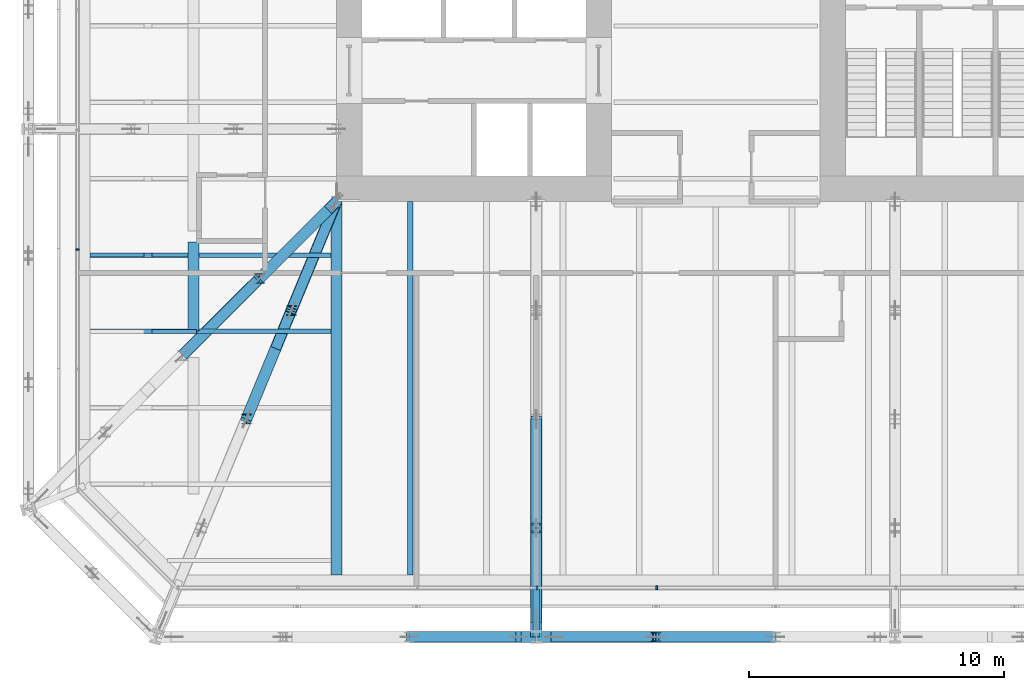
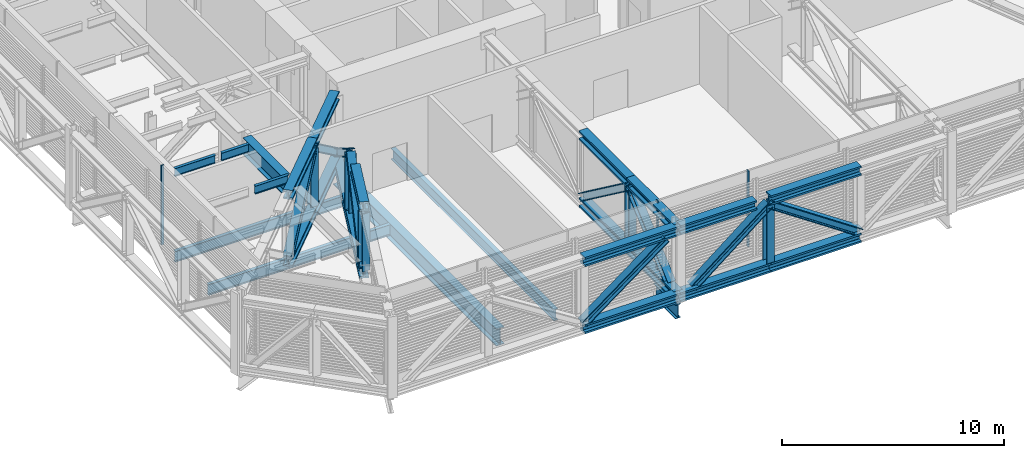
# One storey, part 3 of 33: 26 beams, 17 members, 2 elements without a shape of their own.
"""IFC4 building model written with IfcOpenShell, lengths in metres."""

import ifcopenshell
import ifcopenshell.guid

model = None  # the IFC model being written
_history = None  # IfcOwnerHistory: only IFC2X3 demands one
_inside = {}  # id of a spatial element -> (the spatial element, [elements in it])
_under = {}  # id of a project, library or spatial element -> (it, [spatial elements below it])
_declared = {}  # id of a project -> (the project, [libraries it declares])
_typed = {}  # id of a type object -> (the type object, [elements of that type])
_made_of = {}  # id of a material, layer set ... -> (it, [elements and type objects made of it])


def new_model(schema):
    """Start an empty IFC model of exactly this schema.

    Asked for "IFC4X3", IfcOpenShell would pick the latest addendum, in which some entities
    have other attributes; the version numbers below select the first issue.
    IFC2X3 requires an IfcOwnerHistory on every rooted entity: one is made here for all.
    """
    global model, _history
    if schema == "IFC4X3":
        model = ifcopenshell.file(schema_version=(4, 3, 0, 0))
    else:
        model = ifcopenshell.file(schema=schema)
    _inside.clear()
    _under.clear()
    _declared.clear()
    _typed.clear()
    _made_of.clear()
    _history = None
    if model.schema == "IFC2X3":
        org = make("IfcOrganization", Name="unknown")
        user = make(
            "IfcPersonAndOrganization",
            ThePerson=make("IfcPerson", FamilyName="unknown"),
            TheOrganization=org,
        )
        app = make(
            "IfcApplication",
            ApplicationDeveloper=org,
            Version="unknown",
            ApplicationFullName="unknown",
            ApplicationIdentifier="unknown",
        )
        _history = make(
            "IfcOwnerHistory",
            OwningUser=user,
            OwningApplication=app,
            ChangeAction="ADDED",
            CreationDate=0,
        )
    return model


def make(cls, **values):
    """One entity of the class cls with the attributes given. An attribute that is None is left unset."""
    return model.create_entity(
        cls, **{name: value for name, value in values.items() if value is not None}
    )


def rooted(cls, **values):
    """An entity with a GlobalId (a new one), such as an element, a storey or a relation."""
    return make(cls, GlobalId=ifcopenshell.guid.new(), OwnerHistory=_history, **values)


def si_unit(unit_type, name, prefix=None):
    """IfcSIUnit, for example si_unit("LENGTHUNIT", "METRE", prefix="MILLI")."""
    return make("IfcSIUnit", UnitType=unit_type, Prefix=prefix, Name=name)


def assignment(units):
    """IfcUnitAssignment: the units of a project."""
    return None if units is None else make("IfcUnitAssignment", Units=units)


def point(xyz):
    """IfcCartesianPoint."""
    return None if xyz is None else make("IfcCartesianPoint", Coordinates=xyz)


def direction(xyz):
    """IfcDirection."""
    return None if xyz is None else make("IfcDirection", DirectionRatios=xyz)


def frame(location, z_axis=None, x_axis=None):
    """IfcAxis2Placement3D, a coordinate frame: its origin and axes. An axis left out is left unset."""
    return make(
        "IfcAxis2Placement3D",
        Location=point(location),
        Axis=direction(z_axis),
        RefDirection=direction(x_axis),
    )


def frame_2d(location, x_axis=None):
    """IfcAxis2Placement2D, a coordinate frame in the plane: its origin and x axis."""
    return make(
        "IfcAxis2Placement2D", Location=point(location), RefDirection=direction(x_axis)
    )


def origin():
    """The frame at (0, 0, 0) with its axes left unset."""
    return frame((0.0, 0.0, 0.0))


def origin_2d():
    """The frame at (0, 0) in the plane with its x axis left unset."""
    return frame_2d((0.0, 0.0))


def place(relative_to, where):
    """IfcLocalPlacement: puts the frame where relative to a parent placement (None: the world)."""
    return make(
        "IfcLocalPlacement", PlacementRelTo=relative_to, RelativePlacement=where
    )


def context(
    kind, dimensions, precision=None, world=None, true_north=None, identifier=None
):
    """IfcGeometricRepresentationContext, for example the 3D "Model" context."""
    return make(
        "IfcGeometricRepresentationContext",
        ContextIdentifier=identifier,
        ContextType=kind,
        CoordinateSpaceDimension=dimensions,
        Precision=precision,
        WorldCoordinateSystem=world,
        TrueNorth=true_north,
    )


def subcontext(parent, identifier, kind, view, scale=None):
    """IfcGeometricRepresentationSubContext, for example "Body" below "Model"."""
    return make(
        "IfcGeometricRepresentationSubContext",
        ContextIdentifier=identifier,
        ContextType=kind,
        ParentContext=parent,
        TargetScale=scale,
        TargetView=view,
    )


def project(units=None, contexts=None):
    """IfcProject with its units and contexts."""
    return rooted(
        "IfcProject",
        Name="project",
        RepresentationContexts=contexts,
        UnitsInContext=assignment(units),
    )


def spatial(cls, under=None, at=None, **own):
    """A site, building, storey or space (cls), placed at a placement, below another one or the project."""
    s = rooted(cls, ObjectPlacement=at, **own)
    if under is not None:
        _under.setdefault(under.id(), (under, []))[1].append(s)
    return s


def profile(cls, at=None, kind="AREA", **sizes):
    """A parametric profile (cls). Its sizes go by their IFC names, for example OverallWidth=200.0."""
    return make(cls, ProfileType=kind, Position=at, **sizes)


def rectangle(**sizes):
    """IfcRectangleProfileDef."""
    return profile("IfcRectangleProfileDef", **sizes)


def i_section(**sizes):
    """IfcIShapeProfileDef."""
    return profile("IfcIShapeProfileDef", **sizes)


def extrude(swept, where, along, depth):
    """IfcExtrudedAreaSolid: the profile swept, set in the frame where, extruded along a direction by depth."""
    return make(
        "IfcExtrudedAreaSolid",
        SweptArea=swept,
        Position=where,
        ExtrudedDirection=direction(along),
        Depth=depth,
    )


def shape(context_of_items, identifier, shape_type, items):
    """IfcShapeRepresentation: the items that make up one representation, for example the "Body"."""
    return make(
        "IfcShapeRepresentation",
        ContextOfItems=context_of_items,
        RepresentationIdentifier=identifier,
        RepresentationType=shape_type,
        Items=items,
    )


def material(Name=None, Category=None):
    """IfcMaterial."""
    return make("IfcMaterial", Name=Name, Category=Category)


def layer(
    of_material, thickness, ventilated=None, Name=None, Category=None, Priority=None
):
    """IfcMaterialLayer: one layer of a wall or slab, of a material (None: an air gap)."""
    return make(
        "IfcMaterialLayer",
        Material=of_material,
        LayerThickness=thickness,
        IsVentilated=ventilated,
        Name=Name,
        Category=Category,
        Priority=Priority,
    )


def layer_set(layers, Name=None):
    """IfcMaterialLayerSet."""
    return make("IfcMaterialLayerSet", MaterialLayers=layers, LayerSetName=Name)


def material_profile(
    of_material, cross_section, Name=None, Category=None, Priority=None
):
    """IfcMaterialProfile: a cross section and its material."""
    return make(
        "IfcMaterialProfile",
        Name=Name,
        Material=of_material,
        Profile=cross_section,
        Priority=Priority,
        Category=Category,
    )


def profile_set(profiles, Name=None, composite=None):
    """IfcMaterialProfileSet."""
    return make(
        "IfcMaterialProfileSet",
        Name=Name,
        MaterialProfiles=profiles,
        CompositeProfile=composite,
    )


def made_of(thing, what):
    """Note that an element or type object is made of a material, layer set ...; save() writes the relation."""
    if what is not None:
        _made_of.setdefault(what.id(), (what, []))[1].append(thing)
    return thing


def type_object(cls, material=None, **own):
    """A type object (cls), such as IfcWallType, which elements share."""
    return made_of(rooted(cls, **own), material)


def element(
    cls,
    number,
    at=None,
    inside=None,
    cuts=None,
    type_object=None,
    material=None,
    context=None,
    identifier="Body",
    shape_type=None,
    held_by="IfcProductDefinitionShape",
    body=None,
    shapes=None,
    **own,
):
    """One element of the class cls, such as IfcWall. Its Tag is "e" and its number.

    at: its placement. inside: the storey or other place that contains it. cuts: it is an
    opening in that element (IfcRelVoidsElement). A single representation is given by context,
    identifier, shape_type and body (its items); several are given by shapes. held_by: the class
    of the entity that holds the representations. save() writes the other relations.
    """
    e = rooted(cls, Tag="e%d" % number, ObjectPlacement=at, **own)
    if body is not None:
        shapes = [shape(context, identifier, shape_type, body)]
    if shapes is not None:
        e.Representation = make(held_by, Representations=shapes)
    if inside is not None:
        _inside.setdefault(inside.id(), (inside, []))[1].append(e)
    if cuts is not None:
        rooted(
            "IfcRelVoidsElement", RelatingBuildingElement=cuts, RelatedOpeningElement=e
        )
    if type_object is not None:
        _typed.setdefault(type_object.id(), (type_object, []))[1].append(e)
    return made_of(e, material)


def aggregate(whole, parts):
    """IfcRelAggregates: a whole, such as a stair, and the parts it consists of."""
    return rooted("IfcRelAggregates", RelatingObject=whole, RelatedObjects=parts)


def save(model, path):
    """Write the relations noted so far, then the file.

    IfcRelAggregates (storeys below a building ...), IfcRelContainedInSpatialStructure (elements
    in a storey), IfcRelDefinesByType, IfcRelAssociatesMaterial and IfcRelDeclares: one each for
    every whole, place, type object, material and project.
    """
    for whole, parts in _under.values():
        aggregate(whole, parts)
    for where, things in _inside.values():
        rooted(
            "IfcRelContainedInSpatialStructure",
            RelatedElements=things,
            RelatingStructure=where,
        )
    for kind, things in _typed.values():
        rooted("IfcRelDefinesByType", RelatedObjects=things, RelatingType=kind)
    for what, things in _made_of.values():
        rooted("IfcRelAssociatesMaterial", RelatedObjects=things, RelatingMaterial=what)
    for by, libraries in _declared.values():
        rooted("IfcRelDeclares", RelatingContext=by, RelatedDefinitions=libraries)
    model.write(path)


model = new_model("IFC4")

# Units and contexts
model_context = context("Model", 3, precision=1e-05, world=origin(), true_north=direction((0.0, 1.0)))
body_context = subcontext(model_context, "Body", "Model", "MODEL_VIEW")
ifc_project = project(units=[si_unit("LENGTHUNIT", "METRE"), si_unit("AREAUNIT", "SQUARE_METRE"), si_unit("VOLUMEUNIT", "CUBIC_METRE"), si_unit("PLANEANGLEUNIT", "RADIAN"), si_unit("MASSUNIT", "GRAM", prefix="KILO")], contexts=[model_context])

# Site, building, storey
site_placement = place(None, origin())
site = spatial("IfcSite", under=ifc_project, at=site_placement, CompositionType="ELEMENT")
building_placement = place(site_placement, origin())
building = spatial("IfcBuilding", under=site, at=building_placement, Name="Millrace Tower", CompositionType="ELEMENT")
storey_placement = place(building_placement, frame((0.0, 0.0, 64.10009765625)))
storey = spatial("IfcBuildingStorey", under=building, at=storey_placement, Name="L14", CompositionType="ELEMENT", Elevation=64.10009765625)

# Beams
ifc_material_1 = material(Name="Steel ASTM A992 Grade 50", Category="steel")
ifc_material_profile_1 = material_profile(ifc_material_1, i_section(OverallWidth=0.436767578125, OverallDepth=0.51318359375, WebThickness=0.060546875, FlangeThickness=0.096923828125, FilletRadius=0.01513671875, at=origin_2d()))
ifc_profile_set_1 = profile_set([ifc_material_profile_1], Name="Steel ASTM A992 Grade 50")
beam_type_1 = type_object("IfcBeamType", Name="Belt truss chord W14x550", PredefinedType="BEAM", material=ifc_profile_set_1)
beam_1_placement = place(storey_placement, frame((-12.026123046875, -27.0, 0.25634765625), z_axis=(1.0, 0.0, 0.0), x_axis=(0.0, 1.0, 0.0)))
element("IfcBeam", 1, at=beam_1_placement, inside=storey, type_object=beam_type_1, Name="BLT-L14-R02-B03", PredefinedType="BEAM", context=body_context, shape_type="SweptSolid", body=[
    extrude(i_section(OverallWidth=0.436767578125, OverallDepth=0.51318359375, WebThickness=0.060546875, FlangeThickness=0.096923828125, FilletRadius=0.01513671875, at=origin_2d()), origin(), (0.0, 0.0, 1.0), 4.97607421875),
])
beam_2_placement = place(storey_placement, frame((-7.050048828125, -27.0, 0.25634765625), z_axis=(1.0, 0.0, 0.0), x_axis=(0.0, 1.0, 0.0)))
element("IfcBeam", 2, at=beam_2_placement, inside=storey, type_object=beam_type_1, Name="BLT-L14-R03-B01", PredefinedType="BEAM", context=body_context, shape_type="SweptSolid", body=[
    extrude(i_section(OverallWidth=0.436767578125, OverallDepth=0.51318359375, WebThickness=0.060546875, FlangeThickness=0.096923828125, FilletRadius=0.01513671875, at=origin_2d()), origin(), (0.0, 0.0, 1.0), 4.699951171875),
])
for number, where, z_axis, x_axis, name in (
    (3, (-2.35009765625, -27.0, 0.25634765625), (1.0, 0.0, 0.0), (0.0, 1.0, 0.0), "BLT-L14-R03-B02"),
    (4, (-2.35009765625, -27.0, 3.943359375), (1.0, 0.0, 0.0), (0.0, 1.0, 0.0), "BLT-L14-R03-T02"),
):
    element("IfcBeam", number, at=place(storey_placement, frame(where, z_axis=z_axis, x_axis=x_axis)), inside=storey, type_object=beam_type_1, Name=name, PredefinedType="BEAM", context=body_context, shape_type="SweptSolid", body=[
        extrude(i_section(OverallWidth=0.436767578125, OverallDepth=0.51318359375, WebThickness=0.060546875, FlangeThickness=0.096923828125, FilletRadius=0.01513671875, at=origin_2d()), origin(), (0.0, 0.0, 1.0), 4.7001953125),
    ])
beam_3_placement = place(storey_placement, frame((-12.026123046875, -27.0, 3.943359375), z_axis=(1.0, 0.0, 0.0), x_axis=(0.0, 1.0, 0.0)))
element("IfcBeam", 5, at=beam_3_placement, inside=storey, type_object=beam_type_1, Name="BLT-L14-R02-T03", PredefinedType="BEAM", context=body_context, shape_type="SweptSolid", body=[
    extrude(i_section(OverallWidth=0.436767578125, OverallDepth=0.51318359375, WebThickness=0.060546875, FlangeThickness=0.096923828125, FilletRadius=0.01513671875, at=origin_2d()), origin(), (0.0, 0.0, 1.0), 4.958740234375),
])
beam_4_placement = place(storey_placement, frame((-7.03271484375, -27.0, 3.943359375), z_axis=(1.0, 0.0, 0.0), x_axis=(0.0, 1.0, 0.0)))
element("IfcBeam", 6, at=beam_4_placement, inside=storey, type_object=beam_type_1, Name="BLT-L14-R03-T01", PredefinedType="BEAM", context=body_context, shape_type="SweptSolid", body=[
    extrude(i_section(OverallWidth=0.436767578125, OverallDepth=0.51318359375, WebThickness=0.060546875, FlangeThickness=0.096923828125, FilletRadius=0.01513671875, at=origin_2d()), origin(), (0.0, 0.0, 1.0), 3.947998046875),
])

# Members
ifc_material_2 = material(Name="Steel ASTM A992 Grade 50", Category="steel")
ifc_material_profile_2 = material_profile(ifc_material_2, i_section(OverallWidth=0.40380859375, OverallDepth=0.406494140625, WebThickness=0.027099609375, FlangeThickness=0.043701171875, FilletRadius=0.01513671875, at=origin_2d()))
ifc_profile_set_2 = profile_set([ifc_material_profile_2], Name="Steel ASTM A992 Grade 50")
member_type_1 = type_object("IfcMemberType", Name="Belt truss diagonal W14x233", PredefinedType="BRACE", material=ifc_profile_set_2)
member_1_placement = place(storey_placement, frame((-12.026123046875, -27.0, 0.512939453125), z_axis=(0.802988323282, 0.0, 0.59599475893), x_axis=(0.0, 1.0, 0.0)))
element("IfcMember", 7, at=member_1_placement, inside=storey, type_object=member_type_1, Name="BLT-L14-R02-D03", PredefinedType="BRACE", context=body_context, shape_type="SweptSolid", body=[
    extrude(i_section(OverallWidth=0.40380859375, OverallDepth=0.406494140625, WebThickness=0.027099609375, FlangeThickness=0.043701171875, FilletRadius=0.01513671875, at=origin_2d()), origin(), (0.0, 0.0, 1.0), 5.3251953125),
])
member_2_placement = place(storey_placement, frame((-6.35009765625, -27.0, 0.512939453125), z_axis=(0.783362807967, 0.0, 0.621564728001), x_axis=(0.0, 1.0, 0.0)))
element("IfcMember", 8, at=member_2_placement, inside=storey, type_object=member_type_1, Name="BLT-L14-R03-D01", PredefinedType="BRACE", context=body_context, shape_type="SweptSolid", body=[
    extrude(i_section(OverallWidth=0.40380859375, OverallDepth=0.406494140625, WebThickness=0.027099609375, FlangeThickness=0.043701171875, FilletRadius=0.01513671875, at=origin_2d()), origin(), (0.0, 0.0, 1.0), 5.106201171875),
])
member_3_placement = place(storey_placement, frame((2.35009765625, -27.0, 0.512939453125), z_axis=(-0.82875084798, 0.0, 0.559617755233), x_axis=(0.0, -1.0, 0.0)))
element("IfcMember", 9, at=member_3_placement, inside=storey, type_object=member_type_1, Name="BLT-L14-R03-D02", PredefinedType="BRACE", context=body_context, shape_type="SweptSolid", body=[
    extrude(i_section(OverallWidth=0.40380859375, OverallDepth=0.406494140625, WebThickness=0.027099609375, FlangeThickness=0.043701171875, FilletRadius=0.01513671875, at=origin_2d()), origin(), (0.0, 0.0, 1.0), 5.67138671875),
])
ifc_material_3 = material(Name="Steel ASTM A992 Grade 50", Category="steel")
ifc_material_profile_3 = material_profile(ifc_material_3, i_section(OverallWidth=0.398681640625, OverallDepth=0.393798828125, WebThickness=0.022705078125, FlangeThickness=0.03662109375, FilletRadius=0.01513671875, at=origin_2d()))
ifc_profile_set_3 = profile_set([ifc_material_profile_3], Name="Steel ASTM A992 Grade 50")
member_type_2 = type_object("IfcMemberType", Name="Belt truss post W14x193", PredefinedType="POST", material=ifc_profile_set_3)
member_4_placement = place(storey_placement, frame((-2.35009765625, -27.0, 0.512939453125), z_axis=(0.0, 0.0, 1.0), x_axis=(1.0, 0.0, 0.0)))
element("IfcMember", 10, at=member_4_placement, inside=storey, type_object=member_type_2, Name="BLT-L14-R03-V01", PredefinedType="POST", context=body_context, shape_type="SweptSolid", body=[
    extrude(i_section(OverallWidth=0.398681640625, OverallDepth=0.393798828125, WebThickness=0.022705078125, FlangeThickness=0.03662109375, FilletRadius=0.01513671875, at=origin_2d()), origin(), (0.0, 0.0, 1.0), 3.173828125),
])

# Curtain wall, members
ifc_material_4 = material(Name="Aluminium and glass", Category="aluminium")
ifc_layer = layer(ifc_material_4, 0.14990234375)
ifc_layer_set = layer_set([ifc_layer], Name="Aluminium and glass")
curtain_wall_type = type_object("IfcCurtainWallType", Name="CW-5 truss and plant storey louvred infill", PredefinedType="NOTDEFINED", material=ifc_layer_set)
placement = place(storey_placement, origin())
curtain_wall_1 = element("IfcCurtainWall", 11, at=placement, inside=storey, type_object=curtain_wall_type, Name="Curtain wall A-F02 L14", PredefinedType="NOTDEFINED")
ifc_material_5 = material(Name="Aluminium", Category="aluminium")
ifc_material_profile_4 = material_profile(ifc_material_5, rectangle(XDim=0.06494140625, YDim=0.14990234375, at=origin_2d()))
ifc_profile_set_4 = profile_set([ifc_material_profile_4], Name="Aluminium")
member_type_3 = type_object("IfcMemberType", Name="CW-5 truss and plant storey louvred infill mullion", PredefinedType="MULLION", material=ifc_profile_set_4)
member_5_placement = place(storey_placement, frame((-7.017578125, -25.074951171875, 0.139892578125), z_axis=(0.0, 0.0, 1.0), x_axis=(1.0, 0.0, 0.0)))
member_5 = element("IfcMember", 12, at=member_5_placement, type_object=member_type_3, Name="CW5 mullion A-F02.4", PredefinedType="MULLION", context=body_context, shape_type="SweptSolid", body=[
    extrude(rectangle(XDim=0.06494140625, YDim=0.14990234375, at=origin_2d()), origin(), (0.0, 0.0, 1.0), 4.159912109375),
])
member_6_placement = place(storey_placement, frame((-2.3173828125, -25.074951171875, 0.139892578125), z_axis=(0.0, 0.0, 1.0), x_axis=(1.0, 0.0, 0.0)))
member_6 = element("IfcMember", 13, at=member_6_placement, type_object=member_type_3, Name="CW5 mullion A-F02.5", PredefinedType="MULLION", context=body_context, shape_type="SweptSolid", body=[
    extrude(rectangle(XDim=0.06494140625, YDim=0.14990234375, at=origin_2d()), origin(), (0.0, 0.0, 1.0), 4.159912109375),
])
aggregate(curtain_wall_1, [member_5, member_6])

# Curtain wall, member
curtain_wall_2 = element("IfcCurtainWall", 14, at=placement, inside=storey, type_object=curtain_wall_type, Name="Curtain wall A-F08 L14", PredefinedType="NOTDEFINED")
member_7_placement = place(storey_placement, frame((-25.074951171875, -11.782470703125, 0.139892578125), z_axis=(0.0, 0.0, 1.0), x_axis=(0.0, -1.0, 0.0)))
member_7 = element("IfcMember", 15, at=member_7_placement, type_object=member_type_3, Name="CW5 mullion A-F08.8", PredefinedType="MULLION", context=body_context, shape_type="SweptSolid", body=[
    extrude(rectangle(XDim=0.06494140625, YDim=0.14990234375, at=origin_2d()), origin(), (0.0, 0.0, 1.0), 4.360107421875),
])
aggregate(curtain_wall_2, [member_7])

# Beams
ifc_material_6 = material(Name="Steel ASTM A992 Grade 50", Category="steel")
ifc_material_profile_5 = material_profile(ifc_material_6, i_section(OverallWidth=0.15234375, OverallDepth=0.449462890625, WebThickness=0.007568359375, FlangeThickness=0.0107421875, FilletRadius=0.01025390625, at=origin_2d()))
ifc_profile_set_5 = profile_set([ifc_material_profile_5], Name="Steel ASTM A992 Grade 50")
beam_type_2 = type_object("IfcBeamType", Name="Floor beam W18x35", PredefinedType="JOIST", material=ifc_profile_set_5)
beam_5_placement = place(storey_placement, frame((-22.138427734375, -15.0, 4.0751953125), z_axis=(1.0, 0.0, 0.0), x_axis=(0.0, 1.0, 0.0)))
element("IfcBeam", 16, at=beam_5_placement, inside=storey, type_object=beam_type_2, Name="BM-A-L14-R1-S004-b", PredefinedType="JOIST", context=body_context, shape_type="SweptSolid", body=[
    extrude(i_section(OverallWidth=0.15234375, OverallDepth=0.449462890625, WebThickness=0.007568359375, FlangeThickness=0.0107421875, FilletRadius=0.01025390625, at=origin_2d()), origin(), (0.0, 0.0, 1.0), 1.74072265625),
])
beam_6_placement = place(storey_placement, frame((-24.578369140625, -12.0, 4.0751953125), z_axis=(1.0, 0.0, 0.0), x_axis=(0.0, 1.0, 0.0)))
element("IfcBeam", 17, at=beam_6_placement, inside=storey, type_object=beam_type_2, Name="BM-A-L14-R1-S005-a", PredefinedType="JOIST", context=body_context, shape_type="SweptSolid", body=[
    extrude(i_section(OverallWidth=0.15234375, OverallDepth=0.449462890625, WebThickness=0.007568359375, FlangeThickness=0.0107421875, FilletRadius=0.01025390625, at=origin_2d()), origin(), (0.0, 0.0, 1.0), 2.116943359375),
])
beam_7_placement = place(storey_placement, frame((-22.138427734375, -12.0, 4.0751953125), z_axis=(1.0, 0.0, 0.0), x_axis=(0.0, 1.0, 0.0)))
element("IfcBeam", 18, at=beam_7_placement, inside=storey, type_object=beam_type_2, Name="BM-A-L14-R1-S005-b", PredefinedType="JOIST", context=body_context, shape_type="SweptSolid", body=[
    extrude(i_section(OverallWidth=0.15234375, OverallDepth=0.449462890625, WebThickness=0.007568359375, FlangeThickness=0.0107421875, FilletRadius=0.01025390625, at=origin_2d()), origin(), (0.0, 0.0, 1.0), 1.416748046875),
])
ifc_material_7 = material(Name="Steel ASTM A992 Grade 50", Category="steel")
ifc_material_profile_6 = material_profile(ifc_material_7, i_section(OverallWidth=0.177978515625, OverallDepth=0.599365234375, WebThickness=0.010009765625, FlangeThickness=0.012939453125, FilletRadius=0.012939453125, at=origin_2d()))
ifc_profile_set_6 = profile_set([ifc_material_profile_6], Name="Steel ASTM A992 Grade 50")
beam_type_3 = type_object("IfcBeamType", Name="Floor beam W24x55", PredefinedType="JOIST", material=ifc_profile_set_6)
for number, where, z_axis, x_axis, name in (
    (19, (-24.578369140625, -15.0, -0.5498046875), (1.0, 0.0, 0.0), (0.0, 1.0, 0.0), "BM-A-L14-S1-S007"),
    (20, (-24.578369140625, -12.0, -0.5498046875), (1.0, 0.0, 0.0), (0.0, 1.0, 0.0), "BM-A-L14-S1-S009"),
):
    element("IfcBeam", number, at=place(storey_placement, frame(where, z_axis=z_axis, x_axis=x_axis)), inside=storey, type_object=beam_type_3, Name=name, PredefinedType="JOIST", context=body_context, shape_type="SweptSolid", body=[
        extrude(i_section(OverallWidth=0.177978515625, OverallDepth=0.599365234375, WebThickness=0.010009765625, FlangeThickness=0.012939453125, FilletRadius=0.012939453125, at=origin_2d()), origin(), (0.0, 0.0, 1.0), 9.46630859375),
    ])
ifc_material_8 = material(Name="Steel ASTM A992 Grade 50", Category="steel")
ifc_material_profile_7 = material_profile(ifc_material_8, i_section(OverallWidth=0.228271484375, OverallDepth=0.607177734375, WebThickness=0.01123046875, FlangeThickness=0.017333984375, FilletRadius=0.0126953125, at=origin_2d()))
ifc_profile_set_7 = profile_set([ifc_material_profile_7], Name="Steel ASTM A992 Grade 50")
beam_type_4 = type_object("IfcBeamType", Name="Floor beam W24x76", PredefinedType="JOIST", material=ifc_profile_set_7)
beam_8_placement = place(storey_placement, frame((-12.0, -24.578369140625, -0.5537109375), z_axis=(0.0, 1.0, 0.0), x_axis=(-1.0, 0.0, 0.0)))
element("IfcBeam", 21, at=beam_8_placement, inside=storey, type_object=beam_type_4, Name="BM-A-L14-S1-S043", PredefinedType="JOIST", context=body_context, shape_type="SweptSolid", body=[
    extrude(i_section(OverallWidth=0.228271484375, OverallDepth=0.607177734375, WebThickness=0.01123046875, FlangeThickness=0.017333984375, FilletRadius=0.0126953125, at=origin_2d()), origin(), (0.0, 0.0, 1.0), 14.678466796875),
])
ifc_material_9 = material(Name="Steel ASTM A992 Grade 50", Category="steel")
ifc_material_profile_8 = material_profile(ifc_material_9, i_section(OverallWidth=0.424072265625, OverallDepth=0.947509765625, WebThickness=0.02392578125, FlangeThickness=0.042724609375, FilletRadius=0.024169921875, at=origin_2d()))
ifc_profile_set_8 = profile_set([ifc_material_profile_8], Name="Steel ASTM A992 Grade 50")
beam_type_5 = type_object("IfcBeamType", Name="Girder medium span W36x302", PredefinedType="BEAM", material=ifc_profile_set_8)
beam_9_placement = place(storey_placement, frame((-14.89990234375, -24.578369140625, -0.723876953125), z_axis=(0.0, 1.0, 0.0), x_axis=(-1.0, 0.0, 0.0)))
element("IfcBeam", 22, at=beam_9_placement, inside=storey, type_object=beam_type_5, Name="BM-A-L14-S1-G061", PredefinedType="BEAM", context=body_context, shape_type="SweptSolid", body=[
    extrude(i_section(OverallWidth=0.424072265625, OverallDepth=0.947509765625, WebThickness=0.02392578125, FlangeThickness=0.042724609375, FilletRadius=0.024169921875, at=origin_2d()), origin(), (0.0, 0.0, 1.0), 14.678466796875),
])
ifc_material_10 = material(Name="Steel ASTM A992 Grade 50", Category="steel")
ifc_material_profile_9 = material_profile(ifc_material_10, i_section(OverallWidth=0.2666015625, OverallDepth=0.7568359375, WebThickness=0.013916015625, FlangeThickness=0.019287109375, FilletRadius=0.0166015625, at=origin_2d()))
ifc_profile_set_9 = profile_set([ifc_material_profile_9], Name="Steel ASTM A992 Grade 50")
beam_type_6 = type_object("IfcBeamType", Name="Link beam W30x108", PredefinedType="BEAM", material=ifc_profile_set_9)
beam_10_placement = place(storey_placement, frame((-7.050048828125, -25.0, -0.628662109375), z_axis=(0.0, -1.0, 0.0), x_axis=(1.0, 0.0, 0.0)))
element("IfcBeam", 23, at=beam_10_placement, inside=storey, type_object=beam_type_6, Name="LNK-A-L14-S1-15", PredefinedType="BEAM", context=body_context, shape_type="SweptSolid", body=[
    extrude(i_section(OverallWidth=0.2666015625, OverallDepth=0.7568359375, WebThickness=0.013916015625, FlangeThickness=0.019287109375, FilletRadius=0.0166015625, at=origin_2d()), origin(), (0.0, 0.0, 1.0), 2.0),
])
ifc_material_11 = material(Name="Steel ASTM A992 Grade 50", Category="steel")
ifc_material_profile_10 = material_profile(ifc_material_11, i_section(OverallWidth=0.436767578125, OverallDepth=0.51318359375, WebThickness=0.060546875, FlangeThickness=0.096923828125, FilletRadius=0.01513671875, at=origin_2d()))
ifc_profile_set_10 = profile_set([ifc_material_profile_10], Name="Steel ASTM A992 Grade 50")
beam_type_7 = type_object("IfcBeamType", Name="Outrigger truss chord W14x550", PredefinedType="BEAM", material=ifc_profile_set_10)
beam_11_placement = place(storey_placement, frame((-14.89990234375, -9.89990234375, 0.25634765625), z_axis=(-0.707734787322, -0.706478216801, 0.0), x_axis=(0.706478216801, -0.707734787322, 0.0)))
element("IfcBeam", 24, at=beam_11_placement, inside=storey, type_object=beam_type_7, Name="BLT-L14-O01-B01", PredefinedType="BEAM", context=body_context, shape_type="SweptSolid", body=[
    extrude(i_section(OverallWidth=0.436767578125, OverallDepth=0.51318359375, WebThickness=0.060546875, FlangeThickness=0.096923828125, FilletRadius=0.01513671875, at=origin_2d()), origin(), (0.0, 0.0, 1.0), 4.2744140625),
])
for number, where, z_axis, x_axis, name in (
    (25, (-17.925048828125, -12.919677734375, 0.25634765625), (-0.707734838031, -0.706478166002, 0.0), (0.706478166002, -0.707734838031, 0.0), "BLT-L14-O01-B02"),
    (26, (-17.925048828125, -12.919677734375, 3.943359375), (-0.707734838031, -0.706478166002, 0.0), (0.706478166002, -0.707734838031, 0.0), "BLT-L14-O01-T02"),
):
    element("IfcBeam", number, at=place(storey_placement, frame(where, z_axis=z_axis, x_axis=x_axis)), inside=storey, type_object=beam_type_7, Name=name, PredefinedType="BEAM", context=body_context, shape_type="SweptSolid", body=[
        extrude(i_section(OverallWidth=0.436767578125, OverallDepth=0.51318359375, WebThickness=0.060546875, FlangeThickness=0.096923828125, FilletRadius=0.01513671875, at=origin_2d()), origin(), (0.0, 0.0, 1.0), 4.274169921875),
    ])
beam_12_placement = place(storey_placement, frame((-14.89990234375, -9.89990234375, 0.25634765625), z_axis=(-0.382490047574, -0.923959611404, 0.0), x_axis=(0.923959611404, -0.382490047574, 0.0)))
element("IfcBeam", 27, at=beam_12_placement, inside=storey, type_object=beam_type_7, Name="BLT-L14-O02-B01", PredefinedType="BEAM", context=body_context, shape_type="SweptSolid", body=[
    extrude(i_section(OverallWidth=0.436767578125, OverallDepth=0.51318359375, WebThickness=0.060546875, FlangeThickness=0.096923828125, FilletRadius=0.01513671875, at=origin_2d()), origin(), (0.0, 0.0, 1.0), 4.626953125),
])
beam_13_placement = place(storey_placement, frame((-16.669677734375, -14.175048828125, 0.25634765625), z_axis=(-0.382463647717, -0.923970539669, 0.0), x_axis=(0.923970539669, -0.382463647717, 0.0)))
element("IfcBeam", 28, at=beam_13_placement, inside=storey, type_object=beam_type_7, Name="BLT-L14-O02-B02", PredefinedType="BEAM", context=body_context, shape_type="SweptSolid", body=[
    extrude(i_section(OverallWidth=0.436767578125, OverallDepth=0.51318359375, WebThickness=0.060546875, FlangeThickness=0.096923828125, FilletRadius=0.01513671875, at=origin_2d()), origin(), (0.0, 0.0, 1.0), 4.626708984375),
])
for number, where, z_axis, x_axis, name in (
    (29, (-7.050048828125, -18.449951171875, 0.25634765625), (0.0, -1.0, 0.0), (1.0, 0.0, 0.0), "BLT-L14-O03-B03"),
    (30, (-7.050048828125, -18.449951171875, 3.943359375), (0.0, -1.0, 0.0), (1.0, 0.0, 0.0), "BLT-L14-O03-T03"),
):
    element("IfcBeam", number, at=place(storey_placement, frame(where, z_axis=z_axis, x_axis=x_axis)), inside=storey, type_object=beam_type_7, Name=name, PredefinedType="BEAM", context=body_context, shape_type="SweptSolid", body=[
        extrude(i_section(OverallWidth=0.436767578125, OverallDepth=0.51318359375, WebThickness=0.060546875, FlangeThickness=0.096923828125, FilletRadius=0.01513671875, at=origin_2d()), origin(), (0.0, 0.0, 1.0), 4.275146484375),
    ])
for number, where, z_axis, x_axis, name in (
    (31, (-7.050048828125, -22.72509765625, 0.25634765625), (0.0, -1.0, 0.0), (1.0, 0.0, 0.0), "BLT-L14-O03-B04"),
    (32, (-7.050048828125, -22.72509765625, 3.943359375), (0.0, -1.0, 0.0), (1.0, 0.0, 0.0), "BLT-L14-O03-T04"),
):
    element("IfcBeam", number, at=place(storey_placement, frame(where, z_axis=z_axis, x_axis=x_axis)), inside=storey, type_object=beam_type_7, Name=name, PredefinedType="BEAM", context=body_context, shape_type="SweptSolid", body=[
        extrude(i_section(OverallWidth=0.436767578125, OverallDepth=0.51318359375, WebThickness=0.060546875, FlangeThickness=0.096923828125, FilletRadius=0.01513671875, at=origin_2d()), origin(), (0.0, 0.0, 1.0), 4.27490234375),
    ])
beam_14_placement = place(storey_placement, frame((-15.224609375, -10.22412109375, 3.943359375), z_axis=(-0.707746349156, -0.706466634213, 0.0), x_axis=(0.706466634213, -0.707746349156, 0.0)))
element("IfcBeam", 33, at=beam_14_placement, inside=storey, type_object=beam_type_7, Name="BLT-L14-O01-T01", PredefinedType="BEAM", context=body_context, shape_type="SweptSolid", body=[
    extrude(i_section(OverallWidth=0.436767578125, OverallDepth=0.51318359375, WebThickness=0.060546875, FlangeThickness=0.096923828125, FilletRadius=0.01513671875, at=origin_2d()), origin(), (0.0, 0.0, 1.0), 3.8154296875),
])
beam_15_placement = place(storey_placement, frame((-17.289306640625, -15.671875, 3.943359375), z_axis=(-0.382452198237, -0.923975278925, 0.0), x_axis=(0.923975278925, -0.382452198237, 0.0)))
element("IfcBeam", 34, at=beam_15_placement, inside=storey, type_object=beam_type_7, Name="BLT-L14-O02-T02", PredefinedType="BEAM", context=body_context, shape_type="SweptSolid", body=[
    extrude(i_section(OverallWidth=0.436767578125, OverallDepth=0.51318359375, WebThickness=0.060546875, FlangeThickness=0.096923828125, FilletRadius=0.01513671875, at=origin_2d()), origin(), (0.0, 0.0, 1.0), 3.006591796875),
])

# Members
ifc_material_12 = material(Name="Steel ASTM A992 Grade 50", Category="steel")
ifc_material_profile_11 = material_profile(ifc_material_12, i_section(OverallWidth=0.40380859375, OverallDepth=0.406494140625, WebThickness=0.027099609375, FlangeThickness=0.043701171875, FilletRadius=0.01513671875, at=origin_2d()))
ifc_profile_set_11 = profile_set([ifc_material_profile_11], Name="Steel ASTM A992 Grade 50")
member_type_4 = type_object("IfcMemberType", Name="Outrigger truss diagonal W14x233", PredefinedType="BRACE", material=ifc_profile_set_11)
member_8_placement = place(storey_placement, frame((-14.89990234375, -9.89990234375, 0.512939453125), z_axis=(-0.568221724835, -0.567212857274, 0.596149013224), x_axis=(0.706478216801, -0.707734787322, 0.0)))
element("IfcMember", 35, at=member_8_placement, inside=storey, type_object=member_type_4, Name="BLT-L14-O01-D01", PredefinedType="BRACE", context=body_context, shape_type="SweptSolid", body=[
    extrude(i_section(OverallWidth=0.40380859375, OverallDepth=0.406494140625, WebThickness=0.027099609375, FlangeThickness=0.043701171875, FilletRadius=0.01513671875, at=origin_2d()), origin(), (0.0, 0.0, 1.0), 5.323974609375),
])
member_9_placement = place(storey_placement, frame((-20.949951171875, -15.939208984375, 0.512939453125), z_axis=(0.568205452299, 0.567196532207, 0.596180054874), x_axis=(-0.706478166002, 0.707734838031, 0.0)))
element("IfcMember", 36, at=member_9_placement, inside=storey, type_object=member_type_4, Name="BLT-L14-O01-D02", PredefinedType="BRACE", context=body_context, shape_type="SweptSolid", body=[
    extrude(i_section(OverallWidth=0.40380859375, OverallDepth=0.406494140625, WebThickness=0.027099609375, FlangeThickness=0.043701171875, FilletRadius=0.01513671875, at=origin_2d()), origin(), (0.0, 0.0, 1.0), 5.323486328125),
])
member_10_placement = place(storey_placement, frame((-14.89990234375, -9.89990234375, 0.512939453125), z_axis=(-0.315417539881, -0.761936341683, 0.56565429969), x_axis=(0.923959611404, -0.382490047574, 0.0)))
element("IfcMember", 37, at=member_10_placement, inside=storey, type_object=member_type_4, Name="BLT-L14-O02-D01", PredefinedType="BRACE", context=body_context, shape_type="SweptSolid", body=[
    extrude(i_section(OverallWidth=0.40380859375, OverallDepth=0.406494140625, WebThickness=0.027099609375, FlangeThickness=0.043701171875, FilletRadius=0.01513671875, at=origin_2d()), origin(), (0.0, 0.0, 1.0), 5.61083984375),
])
member_11_placement = place(storey_placement, frame((-18.439208984375, -18.449951171875, 0.512939453125), z_axis=(0.315388812458, 0.761928546652, 0.565680817046), x_axis=(-0.923970539669, 0.382463647717, 0.0)))
element("IfcMember", 38, at=member_11_placement, inside=storey, type_object=member_type_4, Name="BLT-L14-O02-D02", PredefinedType="BRACE", context=body_context, shape_type="SweptSolid", body=[
    extrude(i_section(OverallWidth=0.40380859375, OverallDepth=0.406494140625, WebThickness=0.027099609375, FlangeThickness=0.043701171875, FilletRadius=0.01513671875, at=origin_2d()), origin(), (0.0, 0.0, 1.0), 5.610595703125),
])
member_12_placement = place(storey_placement, frame((-7.050048828125, -18.449951171875, 0.512939453125), z_axis=(0.0, -0.802923169461, 0.596082531151), x_axis=(1.0, 0.0, 0.0)))
element("IfcMember", 39, at=member_12_placement, inside=storey, type_object=member_type_4, Name="BLT-L14-O03-D03", PredefinedType="BRACE", context=body_context, shape_type="SweptSolid", body=[
    extrude(i_section(OverallWidth=0.40380859375, OverallDepth=0.406494140625, WebThickness=0.027099609375, FlangeThickness=0.043701171875, FilletRadius=0.01513671875, at=origin_2d()), origin(), (0.0, 0.0, 1.0), 5.324462890625),
])
member_13_placement = place(storey_placement, frame((-7.050048828125, -26.300048828125, 0.512939453125), z_axis=(0.0, 0.747814919968, 0.663907256681), x_axis=(-1.0, 0.0, 0.0)))
element("IfcMember", 40, at=member_13_placement, inside=storey, type_object=member_type_4, Name="BLT-L14-O03-D04", PredefinedType="BRACE", context=body_context, shape_type="SweptSolid", body=[
    extrude(i_section(OverallWidth=0.40380859375, OverallDepth=0.406494140625, WebThickness=0.027099609375, FlangeThickness=0.043701171875, FilletRadius=0.01513671875, at=origin_2d()), origin(), (0.0, 0.0, 1.0), 4.780517578125),
])
ifc_material_13 = material(Name="Steel ASTM A992 Grade 50", Category="steel")
ifc_material_profile_12 = material_profile(ifc_material_13, i_section(OverallWidth=0.398681640625, OverallDepth=0.393798828125, WebThickness=0.022705078125, FlangeThickness=0.03662109375, FilletRadius=0.01513671875, at=origin_2d()))
ifc_profile_set_12 = profile_set([ifc_material_profile_12], Name="Steel ASTM A992 Grade 50")
member_type_5 = type_object("IfcMemberType", Name="Outrigger truss post W14x193", PredefinedType="POST", material=ifc_profile_set_12)
for number, where, z_axis, x_axis, name in (
    (41, (-17.925048828125, -12.919677734375, 0.512939453125), (0.0, 0.0, 1.0), (1.0, 0.0, 0.0), "BLT-L14-O01-V01"),
    (42, (-16.669677734375, -14.175048828125, 0.512939453125), (0.0, 0.0, 1.0), (1.0, 0.0, 0.0), "BLT-L14-O02-V01"),
    (43, (-18.439208984375, -18.449951171875, 0.512939453125), (0.0, 0.0, 1.0), (1.0, 0.0, 0.0), "BLT-L14-O02-V02"),
    (44, (-7.050048828125, -22.72509765625, 0.512939453125), (0.0, 0.0, 1.0), (1.0, 0.0, 0.0), "BLT-L14-O03-V03"),
):
    element("IfcMember", number, at=place(storey_placement, frame(where, z_axis=z_axis, x_axis=x_axis)), inside=storey, type_object=member_type_5, Name=name, PredefinedType="POST", context=body_context, shape_type="SweptSolid", body=[
        extrude(i_section(OverallWidth=0.398681640625, OverallDepth=0.393798828125, WebThickness=0.022705078125, FlangeThickness=0.03662109375, FilletRadius=0.01513671875, at=origin_2d()), origin(), (0.0, 0.0, 1.0), 3.173828125),
    ])

# Beam
ifc_material_14 = material(Name="Steel ASTM A992 Grade 50", Category="steel")
ifc_material_profile_13 = material_profile(ifc_material_14, i_section(OverallWidth=0.421630859375, OverallDepth=0.937255859375, WebThickness=0.021240234375, FlangeThickness=0.03662109375, FilletRadius=0.024169921875, at=origin_2d()))
ifc_profile_set_13 = profile_set([ifc_material_profile_13], Name="Steel ASTM A992 Grade 50")
beam_type_8 = type_object("IfcBeamType", Name="Ring beam short span W36x262", PredefinedType="SPANDREL", material=ifc_profile_set_13)
beam_16_placement = place(storey_placement, frame((-20.5107421875, -11.483642578125, 3.831298828125), z_axis=(0.0, -1.0, 0.0), x_axis=(1.0, 0.0, 0.0)))
element("IfcBeam", 45, at=beam_16_placement, inside=storey, type_object=beam_type_8, Name="RNG-A-L14-R1-13-a-b-b-b", PredefinedType="SPANDREL", context=body_context, shape_type="SweptSolid", body=[
    extrude(i_section(OverallWidth=0.421630859375, OverallDepth=0.937255859375, WebThickness=0.021240234375, FlangeThickness=0.03662109375, FilletRadius=0.024169921875, at=origin_2d()), origin(), (0.0, 0.0, 1.0), 3.49462890625),
])

save(model, "model.ifc")
